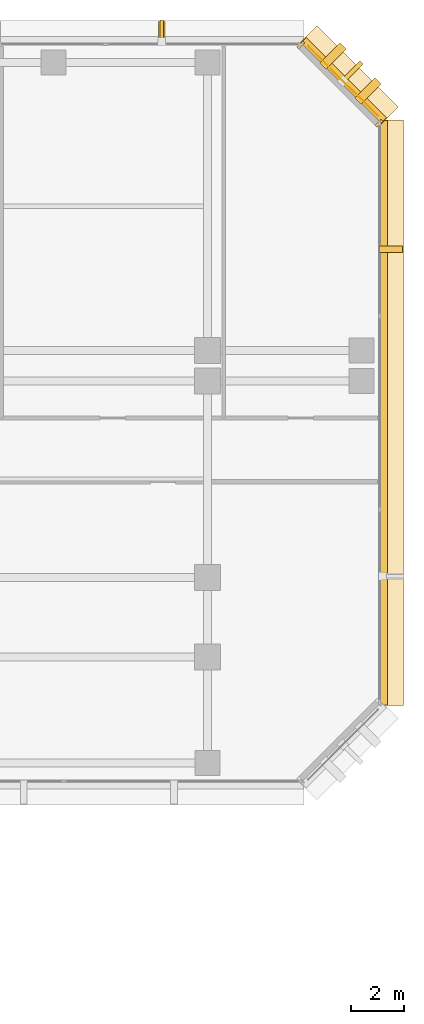
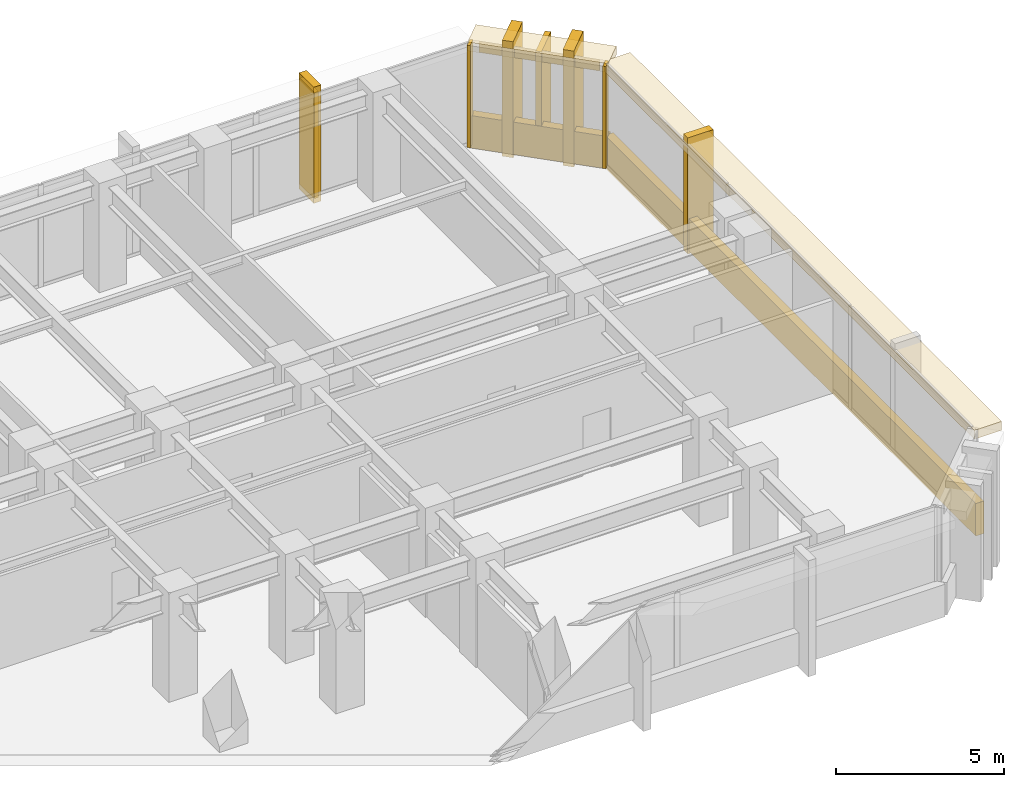
# One storey, part 13 of 13: 11 coverings, 2 shading devices.
"""IFC4 building model written with IfcOpenShell, lengths in metres."""

from ifc_helpers import new_model, si_unit, direction, frame, origin, origin_2d, place, context, subcontext, project, spatial, rectangle, extrude, material, layer, layer_set, material_profile, profile_set, type_object, element, save


model = new_model("IFC4")

# Units and contexts
model_context = context("Model", 3, precision=1e-05, world=origin(), true_north=direction((0.0, 1.0)))
body_context = subcontext(model_context, "Body", "Model", "MODEL_VIEW")
ifc_project = project(units=[si_unit("LENGTHUNIT", "METRE"), si_unit("AREAUNIT", "SQUARE_METRE"), si_unit("VOLUMEUNIT", "CUBIC_METRE"), si_unit("PLANEANGLEUNIT", "RADIAN"), si_unit("MASSUNIT", "GRAM", prefix="KILO")], contexts=[model_context])

# Site, building, storey
site_placement = place(None, origin())
site = spatial("IfcSite", under=ifc_project, at=site_placement, CompositionType="ELEMENT")
building_placement = place(site_placement, origin())
building = spatial("IfcBuilding", under=site, at=building_placement, Name="Kefirva Bronze Tower", CompositionType="ELEMENT")
storey_placement = place(building_placement, frame((0.0, 0.0, 46.199951171875)))
storey = spatial("IfcBuildingStorey", under=building, at=storey_placement, Name="L10", CompositionType="ELEMENT", Elevation=46.199951171875)

# Coverings
ifc_material = material(Name="Bronze anodised aluminium", Category="aluminium")
ifc_layer_1 = layer(ifc_material, 0.02001953125, Name="Bronze anodised aluminium")
ifc_layer_set_1 = layer_set([ifc_layer_1], Name="Bronze anodised aluminium")
covering_type_1 = type_object("IfcCoveringType", Name="Anodised Bronze Spandrel Cladding 20mm", PredefinedType="CLADDING", material=ifc_layer_set_1)
covering_1_placement = place(storey_placement, frame((56.0400390625, 32.0, -0.16015625), z_axis=(0.0, 0.0, 1.0), x_axis=(0.0, 1.0, 0.0)))
element("IfcCovering", 1, at=covering_1_placement, inside=storey, type_object=covering_type_1, Name="L10 Streamline Horizontal Spandrel Band 6", PredefinedType="CLADDING", context=body_context, shape_type="SweptSolid", body=[
    extrude(rectangle(XDim=22.0400390625, YDim=0.280029296875, at=origin_2d()), origin(), (0.0, 0.0, 1.0), 1.179931640625),
])
covering_2_placement = place(storey_placement, frame((54.507080078125, 44.507080078125, 3.2900390625), z_axis=(0.0, 0.0, 1.0), x_axis=(-0.707106781187, 0.707106781187, 0.0)))
element("IfcCovering", 2, at=covering_2_placement, inside=storey, type_object=covering_type_1, Name="L10 Bronze Spandrel Cladding 5", PredefinedType="CLADDING", context=body_context, shape_type="SweptSolid", body=[
    extrude(rectangle(XDim=3.719482421875, YDim=0.02001953125, at=origin_2d()), origin(), (0.0, 0.0, 1.0), 0.39990234375),
])
for number, where, z_axis, x_axis, name in (
    (3, (55.862060546875, 42.91162109375, 0.0), (0.0, 0.0, 1.0), (-0.707106781187, 0.707106781187, 0.0), "L10 Facade Joint Closure Panel 5S"),
    (4, (52.91162109375, 45.862060546875, 0.0), (0.0, 0.0, 1.0), (-0.707106781187, 0.707106781187, 0.0), "L10 Facade Joint Closure Panel 5E"),
):
    element("IfcCovering", number, at=place(storey_placement, frame(where, z_axis=z_axis, x_axis=x_axis)), inside=storey, type_object=covering_type_1, Name=name, PredefinedType="CLADDING", context=body_context, shape_type="SweptSolid", body=[
        extrude(rectangle(XDim=0.10009765625, YDim=0.320068359375, at=origin_2d()), origin(), (0.0, 0.0, 1.0), 3.7099609375),
    ])
covering_3_placement = place(storey_placement, frame((54.5283203125, 44.5283203125, -0.16015625), z_axis=(0.0, 0.0, 1.0), x_axis=(-0.707106781187, 0.707106781187, 0.0)))
element("IfcCovering", 5, at=covering_3_placement, inside=storey, type_object=covering_type_1, Name="L10 Streamline Horizontal Spandrel Band 7", PredefinedType="CLADDING", context=body_context, shape_type="SweptSolid", body=[
    extrude(rectangle(XDim=4.28271484375, YDim=0.280029296875, at=origin_2d()), origin(), (0.0, 0.0, 1.0), 1.179931640625),
])

# Shading device
ifc_material_profile_1 = material_profile(ifc_material, rectangle(XDim=0.179931640625, YDim=1.080078125, at=origin_2d()), Name="BRONZE BUTTRESS FIN 180x1080")
ifc_profile_set_1 = profile_set([ifc_material_profile_1], Name="Bronze anodised aluminium")
shading_device_type_1 = type_object("IfcShadingDeviceType", Name="Chamfered Corner Buttress Bronze Fin 1080mm", PredefinedType="USERDEFINED", material=ifc_profile_set_1)
shading_device_1_placement = place(storey_placement, frame((54.8251953125, 44.8251953125, -0.139892578125), z_axis=(0.0, 0.0, 1.0), x_axis=(-0.707106781187, 0.707106781187, 0.0)))
element("IfcShadingDevice", 6, at=shading_device_1_placement, inside=storey, type_object=shading_device_type_1, Name="L10 Chamfered Corner Buttress Fin 18", ObjectType="VERTICAL FIN", PredefinedType="USERDEFINED", context=body_context, shape_type="SweptSolid", body=[
    extrude(rectangle(XDim=0.179931640625, YDim=1.080078125, at=origin_2d()), origin(), (0.0, 0.0, 1.0), 3.849853515625),
])

# Coverings
ifc_layer_2 = layer(ifc_material, 0.179931640625, Name="Bronze anodised aluminium")
ifc_layer_set_2 = layer_set([ifc_layer_2], Name="Bronze anodised aluminium")
covering_type_2 = type_object("IfcCoveringType", Name="Streamline Bronze Sunshade Eyebrow Cladding 180mm", PredefinedType="CLADDING", material=ifc_layer_set_2)
covering_4_placement = place(storey_placement, frame((56.31005859375, 32.0, 3.39013671875), z_axis=(0.0, 0.0, 1.0), x_axis=(0.0, 1.0, 0.0)))
element("IfcCovering", 7, at=covering_4_placement, inside=storey, type_object=covering_type_2, Name="L10 Streamline Bronze Sunshade Eyebrow 6", PredefinedType="CLADDING", context=body_context, shape_type="SweptSolid", body=[
    extrude(rectangle(XDim=22.080078125, YDim=0.93994140625, at=origin_2d()), origin(), (0.0, 0.0, 1.0), 0.320068359375),
])
covering_5_placement = place(storey_placement, frame((54.71923828125, 44.71923828125, 3.39013671875), z_axis=(0.0, 0.0, 1.0), x_axis=(-0.707106781187, 0.707106781187, 0.0)))
element("IfcCovering", 8, at=covering_5_placement, inside=storey, type_object=covering_type_2, Name="L10 Streamline Bronze Sunshade Eyebrow 7", PredefinedType="CLADDING", context=body_context, shape_type="SweptSolid", body=[
    extrude(rectangle(XDim=4.322509765625, YDim=0.93994140625, at=origin_2d()), origin(), (0.0, 0.0, 1.0), 0.320068359375),
])
ifc_layer_3 = layer(ifc_material, 0.260009765625, Name="Bronze anodised aluminium")
ifc_layer_set_3 = layer_set([ifc_layer_3], Name="Bronze anodised aluminium")
covering_type_3 = type_object("IfcCoveringType", Name="Unbroken Bronze Buttress Fin Cladding 260mm", PredefinedType="CLADDING", material=ifc_layer_set_3)
covering_6_placement = place(storey_placement, frame((56.300048828125, 38.159912109375, -0.25), z_axis=(0.0, 0.0, 1.0), x_axis=(0.0, 1.0, 0.0)))
element("IfcCovering", 9, at=covering_6_placement, inside=storey, type_object=covering_type_3, Name="L10 Unbroken Vertical Bronze Rib Fin 16", PredefinedType="CLADDING", context=body_context, shape_type="SweptSolid", body=[
    extrude(rectangle(XDim=0.260009765625, YDim=0.8798828125, at=origin_2d()), origin(), (0.0, 0.0, 1.0), 4.2099609375),
])
for number, where, z_axis, x_axis, name in (
    (10, (55.44287109375, 44.122802734375, -0.25), (0.0, 0.0, 1.0), (-0.707106781187, 0.707106781187, 0.0), "L10 Chamfered Corner Buttress Fin Cladding 17"),
    (11, (54.122802734375, 45.44287109375, -0.25), (0.0, 0.0, 1.0), (-0.707106781187, 0.707106781187, 0.0), "L10 Chamfered Corner Buttress Fin Cladding 18"),
):
    element("IfcCovering", number, at=place(storey_placement, frame(where, z_axis=z_axis, x_axis=x_axis)), inside=storey, type_object=covering_type_3, Name=name, PredefinedType="CLADDING", context=body_context, shape_type="SweptSolid", body=[
        extrude(rectangle(XDim=0.340087890625, YDim=1.080078125, at=origin_2d()), origin(), (0.0, 0.0, 1.0), 4.2099609375),
    ])
covering_7_placement = place(storey_placement, frame((47.6728515625, 46.300048828125, -0.25), z_axis=(0.0, 0.0, 1.0), x_axis=(-1.0, 0.0, 0.0)))
element("IfcCovering", 12, at=covering_7_placement, inside=storey, type_object=covering_type_3, Name="L10 Unbroken Vertical Bronze Rib Fin 19", PredefinedType="CLADDING", context=body_context, shape_type="SweptSolid", body=[
    extrude(rectangle(XDim=0.260009765625, YDim=0.8798828125, at=origin_2d()), origin(), (0.0, 0.0, 1.0), 4.2099609375),
])

# Shading device
ifc_material_profile_2 = material_profile(ifc_material, rectangle(XDim=0.139892578125, YDim=0.8798828125, at=origin_2d()), Name="BRONZE FIN 140x880")
ifc_profile_set_2 = profile_set([ifc_material_profile_2], Name="Bronze anodised aluminium")
shading_device_type_2 = type_object("IfcShadingDeviceType", Name="Unbroken Vertical Bronze Facade Fin 880mm", PredefinedType="USERDEFINED", material=ifc_profile_set_2)
shading_device_2_placement = place(storey_placement, frame((47.6728515625, 46.360107421875, -0.139892578125), z_axis=(0.0, 0.0, 1.0), x_axis=(-1.0, 0.0, 0.0)))
element("IfcShadingDevice", 13, at=shading_device_2_placement, inside=storey, type_object=shading_device_type_2, Name="L10 Vertical Bronze Rib Fin 19", ObjectType="VERTICAL FIN", PredefinedType="USERDEFINED", context=body_context, shape_type="SweptSolid", body=[
    extrude(rectangle(XDim=0.139892578125, YDim=0.8798828125, at=origin_2d()), origin(), (0.0, 0.0, 1.0), 3.849853515625),
])

save(model, "model.ifc")
